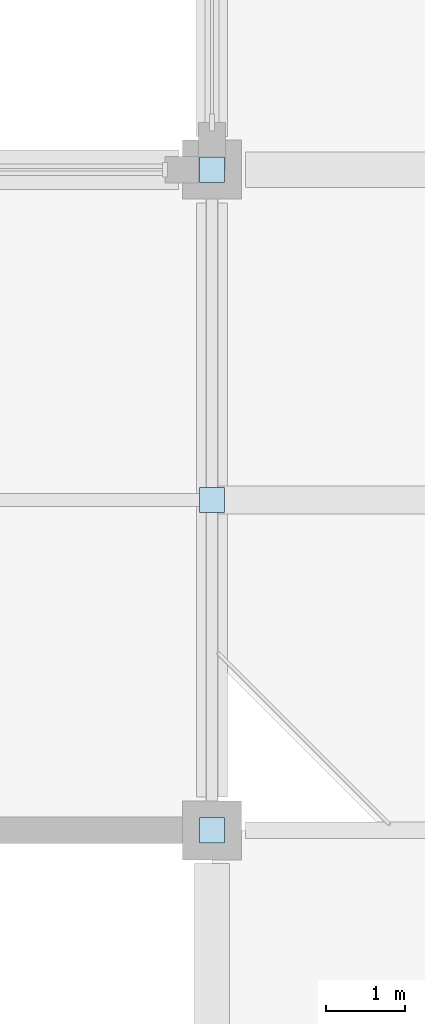
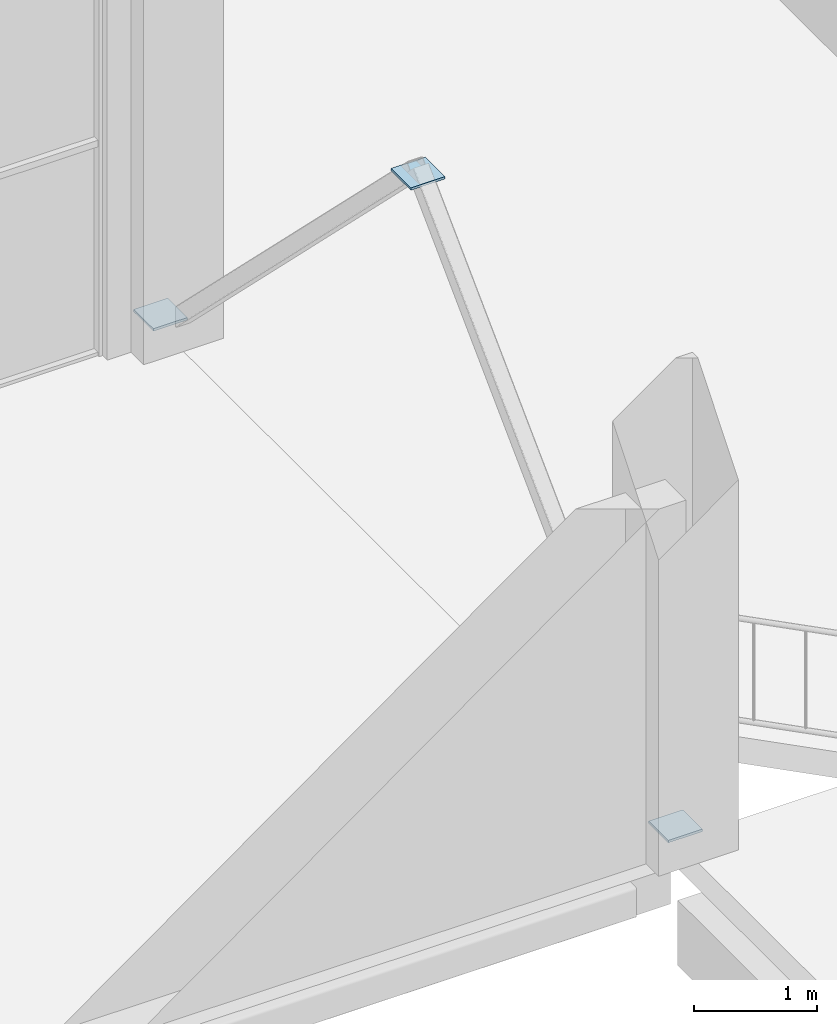
# One storey, part 52 of 75: 3 plates.
"""IFC4 building model written with IfcOpenShell, lengths in metres."""

from ifc_helpers import new_model, si_unit, derived_unit, direction, frame, origin, origin_2d, place, context, subcontext, project, spatial, rectangle, extrude, material, layer, layer_set, type_object, element, save


model = new_model("IFC4")

# Units and contexts
model_context = context("Model", 3, precision=1e-05, world=origin(), true_north=direction((0.0, 1.0)))
body_context = subcontext(model_context, "Body", "Model", "MODEL_VIEW")
ifc_project = project(units=[si_unit("LENGTHUNIT", "METRE"), si_unit("AREAUNIT", "SQUARE_METRE"), si_unit("VOLUMEUNIT", "CUBIC_METRE"), si_unit("PLANEANGLEUNIT", "RADIAN"), si_unit("MASSUNIT", "GRAM", prefix="KILO"), derived_unit("THERMALTRANSMITTANCEUNIT", [(si_unit("POWERUNIT", "WATT"), 1), (si_unit("LENGTHUNIT", "METRE"), -2), (si_unit("THERMODYNAMICTEMPERATUREUNIT", "KELVIN"), -1)])], contexts=[model_context])

# Site, building, storey
site_placement = place(None, origin())
site = spatial("IfcSite", under=ifc_project, at=site_placement, CompositionType="ELEMENT")
building_placement = place(site_placement, origin())
building = spatial("IfcBuilding", under=site, at=building_placement, Name="Barrovel Congress Hotel", CompositionType="ELEMENT")
storey_placement = place(building_placement, frame((0.0, 0.0, 5.39990234375)))
storey = spatial("IfcBuildingStorey", under=building, at=storey_placement, Name="L01", CompositionType="ELEMENT", Elevation=5.39990234375)

# Plates
ifc_material = material(Name="Steel ASTM A992 Grade 50", Category="steel")
ifc_layer = layer(ifc_material, 0.02392578125)
ifc_layer_set = layer_set([ifc_layer], Name="Steel ASTM A992 Grade 50")
plate_type = type_object("IfcPlateType", Name="GP-24", PredefinedType="SHEET", material=ifc_layer_set)
for number, where, z_axis, x_axis, name in (
    (1, (126.0, 37.800048828125, 0.128173828125), (0.0, 0.0, 1.0), (1.0, 0.0, 0.0), "Braced Frame Gusset Plate L01 BF3 BL"),
    (2, (126.0, 46.199951171875, 0.128173828125), (0.0, 0.0, 1.0), (1.0, 0.0, 0.0), "Braced Frame Gusset Plate L01 BF3 BR"),
    (3, (126.0, 42.0, 4.078125), (0.0, 0.0, 1.0), (1.0, 0.0, 0.0), "Braced Frame Gusset Plate L01 BF3 AP"),
):
    element("IfcPlate", number, at=place(storey_placement, frame(where, z_axis=z_axis, x_axis=x_axis)), inside=storey, type_object=plate_type, Name=name, PredefinedType="SHEET", context=body_context, shape_type="SweptSolid", body=[
        extrude(rectangle(XDim=0.320068359375, YDim=0.320068359375, at=origin_2d()), origin(), (0.0, 0.0, 1.0), 0.02392578125),
    ])

save(model, "model.ifc")
